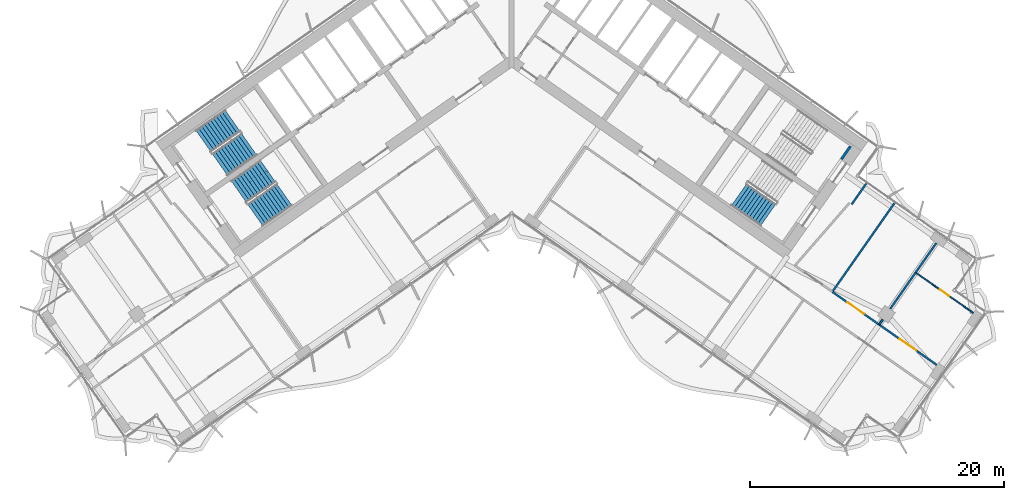
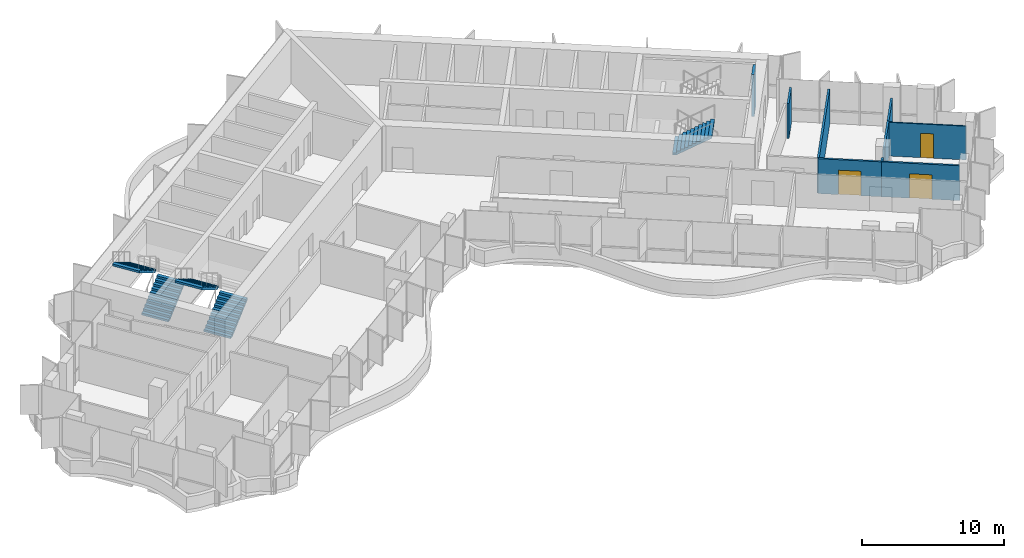
# One storey, part 17 of 23: 9 walls, 5 stair flights, 3 doors, 3 openings, 3 elements without a shape of their own.
"""IFC4 building model written with IfcOpenShell, lengths in metres."""

import ifcopenshell
import ifcopenshell.guid

model = None  # the IFC model being written
_history = None  # IfcOwnerHistory: only IFC2X3 demands one
_inside = {}  # id of a spatial element -> (the spatial element, [elements in it])
_under = {}  # id of a project, library or spatial element -> (it, [spatial elements below it])
_declared = {}  # id of a project -> (the project, [libraries it declares])
_typed = {}  # id of a type object -> (the type object, [elements of that type])
_made_of = {}  # id of a material, layer set ... -> (it, [elements and type objects made of it])


def new_model(schema):
    """Start an empty IFC model of exactly this schema.

    Asked for "IFC4X3", IfcOpenShell would pick the latest addendum, in which some entities
    have other attributes; the version numbers below select the first issue.
    IFC2X3 requires an IfcOwnerHistory on every rooted entity: one is made here for all.
    """
    global model, _history
    if schema == "IFC4X3":
        model = ifcopenshell.file(schema_version=(4, 3, 0, 0))
    else:
        model = ifcopenshell.file(schema=schema)
    _inside.clear()
    _under.clear()
    _declared.clear()
    _typed.clear()
    _made_of.clear()
    _history = None
    if model.schema == "IFC2X3":
        org = make("IfcOrganization", Name="unknown")
        user = make(
            "IfcPersonAndOrganization",
            ThePerson=make("IfcPerson", FamilyName="unknown"),
            TheOrganization=org,
        )
        app = make(
            "IfcApplication",
            ApplicationDeveloper=org,
            Version="unknown",
            ApplicationFullName="unknown",
            ApplicationIdentifier="unknown",
        )
        _history = make(
            "IfcOwnerHistory",
            OwningUser=user,
            OwningApplication=app,
            ChangeAction="ADDED",
            CreationDate=0,
        )
    return model


def make(cls, **values):
    """One entity of the class cls with the attributes given. An attribute that is None is left unset."""
    return model.create_entity(
        cls, **{name: value for name, value in values.items() if value is not None}
    )


def rooted(cls, **values):
    """An entity with a GlobalId (a new one), such as an element, a storey or a relation."""
    return make(cls, GlobalId=ifcopenshell.guid.new(), OwnerHistory=_history, **values)


def si_unit(unit_type, name, prefix=None):
    """IfcSIUnit, for example si_unit("LENGTHUNIT", "METRE", prefix="MILLI")."""
    return make("IfcSIUnit", UnitType=unit_type, Prefix=prefix, Name=name)


def assignment(units):
    """IfcUnitAssignment: the units of a project."""
    return None if units is None else make("IfcUnitAssignment", Units=units)


def point(xyz):
    """IfcCartesianPoint."""
    return None if xyz is None else make("IfcCartesianPoint", Coordinates=xyz)


def direction(xyz):
    """IfcDirection."""
    return None if xyz is None else make("IfcDirection", DirectionRatios=xyz)


def frame(location, z_axis=None, x_axis=None):
    """IfcAxis2Placement3D, a coordinate frame: its origin and axes. An axis left out is left unset."""
    return make(
        "IfcAxis2Placement3D",
        Location=point(location),
        Axis=direction(z_axis),
        RefDirection=direction(x_axis),
    )


def frame_2d(location, x_axis=None):
    """IfcAxis2Placement2D, a coordinate frame in the plane: its origin and x axis."""
    return make(
        "IfcAxis2Placement2D", Location=point(location), RefDirection=direction(x_axis)
    )


def origin():
    """The frame at (0, 0, 0) with its axes left unset."""
    return frame((0.0, 0.0, 0.0))


def place(relative_to, where):
    """IfcLocalPlacement: puts the frame where relative to a parent placement (None: the world)."""
    return make(
        "IfcLocalPlacement", PlacementRelTo=relative_to, RelativePlacement=where
    )


def context(
    kind, dimensions, precision=None, world=None, true_north=None, identifier=None
):
    """IfcGeometricRepresentationContext, for example the 3D "Model" context."""
    return make(
        "IfcGeometricRepresentationContext",
        ContextIdentifier=identifier,
        ContextType=kind,
        CoordinateSpaceDimension=dimensions,
        Precision=precision,
        WorldCoordinateSystem=world,
        TrueNorth=true_north,
    )


def subcontext(parent, identifier, kind, view, scale=None):
    """IfcGeometricRepresentationSubContext, for example "Body" below "Model"."""
    return make(
        "IfcGeometricRepresentationSubContext",
        ContextIdentifier=identifier,
        ContextType=kind,
        ParentContext=parent,
        TargetScale=scale,
        TargetView=view,
    )


def project(units=None, contexts=None):
    """IfcProject with its units and contexts."""
    return rooted(
        "IfcProject",
        Name="project",
        RepresentationContexts=contexts,
        UnitsInContext=assignment(units),
    )


def spatial(cls, under=None, at=None, **own):
    """A site, building, storey or space (cls), placed at a placement, below another one or the project."""
    s = rooted(cls, ObjectPlacement=at, **own)
    if under is not None:
        _under.setdefault(under.id(), (under, []))[1].append(s)
    return s


def polyline(points):
    """IfcPolyline through the points."""
    return make("IfcPolyline", Points=[point(p) for p in points])


def profile(cls, at=None, kind="AREA", **sizes):
    """A parametric profile (cls). Its sizes go by their IFC names, for example OverallWidth=200.0."""
    return make(cls, ProfileType=kind, Position=at, **sizes)


def rectangle(**sizes):
    """IfcRectangleProfileDef."""
    return profile("IfcRectangleProfileDef", **sizes)


def outline(outer, holes=None, kind="AREA"):
    """IfcArbitraryClosedProfileDef: a profile drawn as a closed curve; with holes, ...WithVoids."""
    if holes is None:
        return make("IfcArbitraryClosedProfileDef", ProfileType=kind, OuterCurve=outer)
    return make(
        "IfcArbitraryProfileDefWithVoids",
        ProfileType=kind,
        OuterCurve=outer,
        InnerCurves=holes,
    )


def extrude(swept, where, along, depth):
    """IfcExtrudedAreaSolid: the profile swept, set in the frame where, extruded along a direction by depth."""
    return make(
        "IfcExtrudedAreaSolid",
        SweptArea=swept,
        Position=where,
        ExtrudedDirection=direction(along),
        Depth=depth,
    )


def shape(context_of_items, identifier, shape_type, items):
    """IfcShapeRepresentation: the items that make up one representation, for example the "Body"."""
    return make(
        "IfcShapeRepresentation",
        ContextOfItems=context_of_items,
        RepresentationIdentifier=identifier,
        RepresentationType=shape_type,
        Items=items,
    )


def material(Name=None, Category=None):
    """IfcMaterial."""
    return make("IfcMaterial", Name=Name, Category=Category)


def layer(
    of_material, thickness, ventilated=None, Name=None, Category=None, Priority=None
):
    """IfcMaterialLayer: one layer of a wall or slab, of a material (None: an air gap)."""
    return make(
        "IfcMaterialLayer",
        Material=of_material,
        LayerThickness=thickness,
        IsVentilated=ventilated,
        Name=Name,
        Category=Category,
        Priority=Priority,
    )


def layer_set(layers, Name=None):
    """IfcMaterialLayerSet."""
    return make("IfcMaterialLayerSet", MaterialLayers=layers, LayerSetName=Name)


def made_of(thing, what):
    """Note that an element or type object is made of a material, layer set ...; save() writes the relation."""
    if what is not None:
        _made_of.setdefault(what.id(), (what, []))[1].append(thing)
    return thing


def type_object(cls, material=None, **own):
    """A type object (cls), such as IfcWallType, which elements share."""
    return made_of(rooted(cls, **own), material)


def element(
    cls,
    number,
    at=None,
    inside=None,
    cuts=None,
    type_object=None,
    material=None,
    context=None,
    identifier="Body",
    shape_type=None,
    held_by="IfcProductDefinitionShape",
    body=None,
    shapes=None,
    **own,
):
    """One element of the class cls, such as IfcWall. Its Tag is "e" and its number.

    at: its placement. inside: the storey or other place that contains it. cuts: it is an
    opening in that element (IfcRelVoidsElement). A single representation is given by context,
    identifier, shape_type and body (its items); several are given by shapes. held_by: the class
    of the entity that holds the representations. save() writes the other relations.
    """
    e = rooted(cls, Tag="e%d" % number, ObjectPlacement=at, **own)
    if body is not None:
        shapes = [shape(context, identifier, shape_type, body)]
    if shapes is not None:
        e.Representation = make(held_by, Representations=shapes)
    if inside is not None:
        _inside.setdefault(inside.id(), (inside, []))[1].append(e)
    if cuts is not None:
        rooted(
            "IfcRelVoidsElement", RelatingBuildingElement=cuts, RelatedOpeningElement=e
        )
    if type_object is not None:
        _typed.setdefault(type_object.id(), (type_object, []))[1].append(e)
    return made_of(e, material)


def fill(opening, filler):
    """IfcRelFillsElement: the door or window that sits in an opening."""
    return rooted(
        "IfcRelFillsElement",
        RelatingOpeningElement=opening,
        RelatedBuildingElement=filler,
    )


def aggregate(whole, parts):
    """IfcRelAggregates: a whole, such as a stair, and the parts it consists of."""
    return rooted("IfcRelAggregates", RelatingObject=whole, RelatedObjects=parts)


def save(model, path):
    """Write the relations noted so far, then the file.

    IfcRelAggregates (storeys below a building ...), IfcRelContainedInSpatialStructure (elements
    in a storey), IfcRelDefinesByType, IfcRelAssociatesMaterial and IfcRelDeclares: one each for
    every whole, place, type object, material and project.
    """
    for whole, parts in _under.values():
        aggregate(whole, parts)
    for where, things in _inside.values():
        rooted(
            "IfcRelContainedInSpatialStructure",
            RelatedElements=things,
            RelatingStructure=where,
        )
    for kind, things in _typed.values():
        rooted("IfcRelDefinesByType", RelatedObjects=things, RelatingType=kind)
    for what, things in _made_of.values():
        rooted("IfcRelAssociatesMaterial", RelatedObjects=things, RelatingMaterial=what)
    for by, libraries in _declared.values():
        rooted("IfcRelDeclares", RelatingContext=by, RelatedDefinitions=libraries)
    model.write(path)


model = new_model("IFC4")

# Units and contexts
model_context = context("Model", 3, precision=1e-05, world=origin(), true_north=direction((0.0, 1.0)))
body_context = subcontext(model_context, "Body", "Model", "MODEL_VIEW")
ifc_project = project(units=[si_unit("LENGTHUNIT", "METRE"), si_unit("AREAUNIT", "SQUARE_METRE"), si_unit("VOLUMEUNIT", "CUBIC_METRE"), si_unit("PLANEANGLEUNIT", "RADIAN"), si_unit("MASSUNIT", "GRAM", prefix="KILO")], contexts=[model_context])

# Site, building, storey
site_placement = place(None, origin())
site = spatial("IfcSite", under=ifc_project, at=site_placement, CompositionType="ELEMENT")
building_placement = place(site_placement, origin())
building = spatial("IfcBuilding", under=site, at=building_placement, Name="Tel Ilan Convention Tower", CompositionType="ELEMENT")
storey_placement = place(building_placement, frame((0.0, 0.0, 174.89990234375)))
storey = spatial("IfcBuildingStorey", under=building, at=storey_placement, Name="L40", CompositionType="ELEMENT", Elevation=174.89990234375)

# Wall, opening, door
ifc_material_1 = material(Name="Plasterboard on Steel Studs", Category="steel")
ifc_layer_1 = layer(ifc_material_1, 0.14990234375)
ifc_layer_set_1 = layer_set([ifc_layer_1], Name="Fire-rated Partition 150 EI 60")
wall_type_1 = type_object("IfcWallType", Name="Fire-rated Partition 150 EI 60", PredefinedType="PARTITIONING", material=ifc_layer_set_1)
wall_1_placement = place(storey_placement, frame((25.22802734375, -18.8857421875, 0.0), z_axis=(0.0, 0.0, 1.0), x_axis=(0.819165703328, -0.573556928727, 0.0)))
wall_1 = element("IfcWall", 1, at=wall_1_placement, inside=storey, type_object=wall_type_1, Name="Partition 002", PredefinedType="PARTITIONING", context=body_context, shape_type="SweptSolid", body=[
    extrude(rectangle(XDim=4.50390625, YDim=0.14990234375, at=frame_2d((2.251953125, 0.0))), origin(), (0.0, 0.0, 1.0), 3.0),
])
opening_1_placement = place(wall_1_placement, frame((1.451904296875, 0.0, 0.0)))
opening_1 = element("IfcOpeningElement", 2, at=opening_1_placement, cuts=wall_1, Name="Opening L39-018", PredefinedType="OPENING", context=body_context, shape_type="SweptSolid", body=[
    extrude(rectangle(XDim=1.60009765625, YDim=2.10009765625, at=frame_2d((0.800048828125, 1.050048828125))), frame((0.0, 0.0849609375, 0.0), z_axis=(0.0, -1.0, 0.0), x_axis=(1.0, 0.0, 0.0)), (0.0, 0.0, 1.0), 0.169921875),
])
ifc_material_2 = material(Name="Timber Door Leaf in Steel Frame", Category="steel")
door_type_1 = type_object("IfcDoorType", Name="Tenant Suite Entrance Fire Door 1600x2100", OperationType="NOTDEFINED", PredefinedType="DOOR", material=ifc_material_2)
door_1_placement = place(opening_1_placement, origin())
door_1 = element("IfcDoor", 3, at=door_1_placement, inside=storey, type_object=door_type_1, Name="Door L39-018", OperationType="DOUBLE_DOOR_SINGLE_SWING", OverallHeight=2.10009765625, OverallWidth=1.60009765625, PredefinedType="DOOR", context=body_context, shape_type="SweptSolid", body=[
    extrude(rectangle(XDim=1.60009765625, YDim=2.10009765625, at=frame_2d((0.800048828125, 1.050048828125))), frame((0.0, 0.02490234375, 0.0), z_axis=(0.0, -1.0, 0.0), x_axis=(1.0, 0.0, 0.0)), (0.0, 0.0, 1.0), 0.050048828125),
])
fill(opening_1, door_1)

wall_2_placement = place(storey_placement, frame((28.914306640625, -21.466796875, 0.0), z_axis=(0.0, 0.0, 1.0), x_axis=(0.819142757108, -0.573589699592, 0.0)))
wall_2 = element("IfcWall", 4, at=wall_2_placement, inside=storey, type_object=wall_type_1, Name="Partition 003", PredefinedType="PARTITIONING", context=body_context, shape_type="SweptSolid", body=[
    extrude(rectangle(XDim=5.531982421875, YDim=0.14990234375, at=frame_2d((2.76611328125, 0.0))), origin(), (0.0, 0.0, 1.0), 3.0),
])
opening_2_placement = place(wall_2_placement, frame((1.966064453125, 0.0, 0.0)))
opening_2 = element("IfcOpeningElement", 5, at=opening_2_placement, cuts=wall_2, Name="Opening L39-019", PredefinedType="OPENING", context=body_context, shape_type="SweptSolid", body=[
    extrude(rectangle(XDim=1.60009765625, YDim=2.10009765625, at=frame_2d((0.800048828125, 1.050048828125))), frame((0.0, 0.0849609375, 0.0), z_axis=(0.0, -1.0, 0.0), x_axis=(1.0, 0.0, 0.0)), (0.0, 0.0, 1.0), 0.169921875),
])
door_2_placement = place(opening_2_placement, origin())
door_2 = element("IfcDoor", 6, at=door_2_placement, inside=storey, type_object=door_type_1, Name="Door L39-019", OperationType="DOUBLE_DOOR_SINGLE_SWING", OverallHeight=2.10009765625, OverallWidth=1.60009765625, PredefinedType="DOOR", context=body_context, shape_type="SweptSolid", body=[
    extrude(rectangle(XDim=1.60009765625, YDim=2.10009765625, at=frame_2d((0.800048828125, 1.050048828125))), frame((0.0, 0.02490234375, 0.0), z_axis=(0.0, -1.0, 0.0), x_axis=(1.0, 0.0, 0.0)), (0.0, 0.0, 1.0), 0.050048828125),
])
fill(opening_2, door_2)

# Walls
wall_3_placement = place(storey_placement, frame((30.10498046875, -11.924072265625, 0.0), z_axis=(0.0, 0.0, 1.0), x_axis=(-0.573572219642, -0.819154996844, 0.0)))
element("IfcWall", 7, at=wall_3_placement, inside=storey, type_object=wall_type_1, Name="Partition 017", PredefinedType="PARTITIONING", context=body_context, shape_type="SweptSolid", body=[
    extrude(rectangle(XDim=8.499755859375, YDim=0.14990234375, at=frame_2d((4.25, 0.0))), origin(), (0.0, 0.0, 1.0), 3.0),
])
wall_4_placement = place(storey_placement, frame((26.74609375, -12.013671875, 0.0), z_axis=(0.0, 0.0, 1.0), x_axis=(0.573568836472, 0.819157365729, 0.0)))
element("IfcWall", 8, at=wall_4_placement, inside=storey, type_object=wall_type_1, Name="Partition 019", PredefinedType="PARTITIONING", context=body_context, shape_type="SweptSolid", body=[
    extrude(rectangle(XDim=2.000244140625, YDim=0.14990234375, at=frame_2d((1.0, 0.0))), origin(), (0.0, 0.0, 1.0), 3.0),
])
wall_5_placement = place(storey_placement, frame((33.406982421875, -15.053955078125, 0.0), z_axis=(0.0, 0.0, 1.0), x_axis=(-0.573560731169, -0.819163040952, 0.0)))
element("IfcWall", 9, at=wall_5_placement, inside=storey, type_object=wall_type_1, Name="Partition 020", PredefinedType="PARTITIONING", context=body_context, shape_type="SweptSolid", body=[
    extrude(rectangle(XDim=2.8310546875, YDim=0.14990234375, at=frame_2d((1.41552734375, 0.0))), origin(), (0.0, 0.0, 1.0), 3.0),
])
wall_6_placement = place(storey_placement, frame((31.784912109375, -17.37060546875, 0.0), z_axis=(0.0, 0.0, 1.0), x_axis=(-0.573598798985, -0.819136385349, 0.0)))
element("IfcWall", 10, at=wall_6_placement, inside=storey, type_object=wall_type_1, Name="Partition 021", PredefinedType="PARTITIONING", context=body_context, shape_type="SweptSolid", body=[
    extrude(rectangle(XDim=3.482177734375, YDim=0.14990234375, at=frame_2d((1.7412109375, 0.0))), origin(), (0.0, 0.0, 1.0), 3.0),
])
wall_7_placement = place(storey_placement, frame((29.191162109375, -21.07470703125, 0.0), z_axis=(0.0, 0.0, 1.0), x_axis=(-0.57322336738, -0.819399152483, 0.0)))
element("IfcWall", 11, at=wall_7_placement, inside=storey, type_object=wall_type_1, Name="Partition 022", PredefinedType="PARTITIONING", context=body_context, shape_type="SweptSolid", body=[
    extrude(rectangle(XDim=0.47998046875, YDim=0.14990234375, at=frame_2d((0.239990234375, 0.0))), origin(), (0.0, 0.0, 1.0), 3.0),
])

# Wall, opening, door
ifc_material_3 = material(Name="Plasterboard on Steel Studs", Category="steel")
ifc_layer_2 = layer(ifc_material_3, 0.10009765625)
ifc_layer_set_2 = layer_set([ifc_layer_2], Name="Plasterboard Partition 100")
wall_type_2 = type_object("IfcWallType", Name="Plasterboard Partition 100", PredefinedType="PARTITIONING", material=ifc_layer_set_2)
wall_8_placement = place(storey_placement, frame((31.784423828125, -17.371337890625, 0.0), z_axis=(0.0, 0.0, 1.0), x_axis=(0.819144797823, -0.573586785238, 0.0)))
wall_8 = element("IfcWall", 12, at=wall_8_placement, inside=storey, type_object=wall_type_2, Name="Partition 023", PredefinedType="PARTITIONING", context=body_context, shape_type="SweptSolid", body=[
    extrude(rectangle(XDim=5.52978515625, YDim=0.10009765625, at=frame_2d((2.764892578125, 0.0))), origin(), (0.0, 0.0, 1.0), 2.900146484375),
])
opening_3_placement = place(wall_8_placement, frame((2.31494140625, 0.0, 0.0)))
opening_3 = element("IfcOpeningElement", 13, at=opening_3_placement, cuts=wall_8, Name="Opening L39-020", PredefinedType="OPENING", context=body_context, shape_type="SweptSolid", body=[
    extrude(rectangle(XDim=0.89990234375, YDim=2.10009765625, at=frame_2d((0.449951171875, 1.050048828125))), frame((0.0, 0.06005859375, 0.0), z_axis=(0.0, -1.0, 0.0), x_axis=(1.0, 0.0, 0.0)), (0.0, 0.0, 1.0), 0.1201171875),
])
ifc_material_4 = material(Name="Timber Door Leaf in Steel Frame", Category="steel")
door_type_2 = type_object("IfcDoorType", Name="Room Timber Door 900x2100", OperationType="NOTDEFINED", PredefinedType="DOOR", material=ifc_material_4)
door_3_placement = place(opening_3_placement, origin())
door_3 = element("IfcDoor", 14, at=door_3_placement, inside=storey, type_object=door_type_2, Name="Door L39-020", OperationType="SINGLE_SWING_RIGHT", OverallHeight=2.10009765625, OverallWidth=0.89990234375, PredefinedType="DOOR", context=body_context, shape_type="SweptSolid", body=[
    extrude(rectangle(XDim=0.89990234375, YDim=2.10009765625, at=frame_2d((0.449951171875, 1.050048828125))), frame((0.0, 0.02490234375, 0.0), z_axis=(0.0, -1.0, 0.0), x_axis=(1.0, 0.0, 0.0)), (0.0, 0.0, 1.0), 0.050048828125),
])
fill(opening_3, door_3)

# Wall
ifc_material_5 = material(Name="Concrete C30/37", Category="concrete")
ifc_layer_3 = layer(ifc_material_5, 0.199951171875)
ifc_layer_set_3 = layer_set([ifc_layer_3], Name="Stair and Shaft Lining Wall 200 mm C30/37")
wall_type_3 = type_object("IfcWallType", Name="Stair and Shaft Lining Wall 200 mm C30/37", PredefinedType="SOLIDWALL", material=ifc_layer_set_3)
wall_9_placement = place(storey_placement, frame((25.939697265625, -8.4580078125, 0.0), z_axis=(0.0, 0.0, 1.0), x_axis=(0.573619628835, 0.819121798889, 0.0)))
element("IfcWall", 15, at=wall_9_placement, inside=storey, type_object=wall_type_3, Name="L40 core wall lining-S3-u1-1", PredefinedType="SOLIDWALL", context=body_context, shape_type="SweptSolid", body=[
    extrude(rectangle(XDim=1.25, YDim=0.199951171875, at=frame_2d((0.625, 0.0))), origin(), (0.0, 0.0, 1.0), 3.6201171875),
])

# Stair, stair flights
ifc_material_6 = material(Name="Concrete C40/50", Category="concrete")
stair_type = type_object("IfcStairType", Name="Pressurised Exit Stair 22 risers 177 mm", PredefinedType="HALF_TURN_STAIR", material=ifc_material_6)
stair_1_placement = place(storey_placement, origin())
stair_1 = element("IfcStair", 16, at=stair_1_placement, inside=storey, type_object=stair_type, Name="L40 Pressurised Stair S1", PredefinedType="HALF_TURN_STAIR")
ifc_material_7 = material(Name="Precast Concrete C40/50", Category="concrete")
stair_flight_type = type_object("IfcStairFlightType", Name="Concrete Stair Flight 2100 mm 22 risers 177 mm", PredefinedType="STRAIGHT", material=ifc_material_7)
stair_flight_1_placement = place(storey_placement, frame((-22.9619140625, -8.87548828125, 0.0), z_axis=(0.0, 0.0, 1.0), x_axis=(0.819152044289, 0.573576436351, 0.0)))
stair_flight_1 = element("IfcStairFlight", 17, at=stair_flight_1_placement, type_object=stair_flight_type, Name="S1 flight 1", NumberOfRisers=11, NumberOfTreads=10, PredefinedType="STRAIGHT", RiserHeight=0.177272727, TreadLength=0.28, context=body_context, shape_type="SweptSolid", body=[
    extrude(outline(polyline([(0.0, 0.0), (0.0, 0.17724609375), (0.280029296875, 0.17724609375), (0.280029296875, 0.3544921875), (0.56005859375, 0.3544921875), (0.56005859375, 0.53173828125), (0.840087890625, 0.53173828125), (0.840087890625, 0.708984375), (1.1201171875, 0.708984375), (1.1201171875, 0.886474609375), (1.39990234375, 0.886474609375), (1.39990234375, 1.063720703125), (1.679931640625, 1.063720703125), (1.679931640625, 1.240966796875), (1.9599609375, 1.240966796875), (1.9599609375, 1.418212890625), (2.239990234375, 1.418212890625), (2.239990234375, 1.595458984375), (2.52001953125, 1.595458984375), (2.52001953125, 1.772705078125), (2.800048828125, 1.772705078125), (2.800048828125, 1.949951171875), (2.800048828125, 1.59521484375), (0.2802734375, 0.0), (0.0, 0.0)])), frame((0.0, -0.100341796875, 0.0), z_axis=(0.0, -1.0, 0.0), x_axis=(1.0, 0.0, 0.0)), (0.0, 0.0, 1.0), 0.94970703125),
    extrude(outline(polyline([(0.0, 0.0), (0.0, 0.17724609375), (0.280029296875, 0.17724609375), (0.280029296875, 0.3544921875), (0.56005859375, 0.3544921875), (0.56005859375, 0.53173828125), (0.840087890625, 0.53173828125), (0.840087890625, 0.708984375), (1.1201171875, 0.708984375), (1.1201171875, 0.886474609375), (1.39990234375, 0.886474609375), (1.39990234375, 1.063720703125), (1.679931640625, 1.063720703125), (1.679931640625, 1.240966796875), (1.9599609375, 1.240966796875), (1.9599609375, 1.418212890625), (2.239990234375, 1.418212890625), (2.239990234375, 1.595458984375), (2.52001953125, 1.595458984375), (2.52001953125, 1.772705078125), (2.800048828125, 1.772705078125), (2.800048828125, 1.949951171875), (2.800048828125, 1.59521484375), (0.2802734375, 0.0), (0.0, 0.0)])), frame((0.0, -0.000244140625, 0.0), z_axis=(0.0, -1.0, 0.0), x_axis=(1.0, 0.0, 0.0)), (0.0, 0.0, 1.0), 0.099609375),
    extrude(outline(polyline([(0.0, 0.0), (0.0, 0.17724609375), (0.280029296875, 0.17724609375), (0.280029296875, 0.3544921875), (0.56005859375, 0.3544921875), (0.56005859375, 0.53173828125), (0.840087890625, 0.53173828125), (0.840087890625, 0.708984375), (1.1201171875, 0.708984375), (1.1201171875, 0.886474609375), (1.39990234375, 0.886474609375), (1.39990234375, 1.063720703125), (1.679931640625, 1.063720703125), (1.679931640625, 1.240966796875), (1.9599609375, 1.240966796875), (1.9599609375, 1.418212890625), (2.239990234375, 1.418212890625), (2.239990234375, 1.595458984375), (2.52001953125, 1.595458984375), (2.52001953125, 1.772705078125), (2.800048828125, 1.772705078125), (2.800048828125, 1.949951171875), (2.800048828125, 1.59521484375), (0.2802734375, 0.0), (0.0, 0.0)])), frame((0.0, 0.099853515625, 0.0), z_axis=(0.0, -1.0, 0.0), x_axis=(1.0, 0.0, 0.0)), (0.0, 0.0, 1.0), 0.099609375),
    extrude(outline(polyline([(0.0, 0.0), (0.0, 0.17724609375), (0.280029296875, 0.17724609375), (0.280029296875, 0.3544921875), (0.56005859375, 0.3544921875), (0.56005859375, 0.53173828125), (0.840087890625, 0.53173828125), (0.840087890625, 0.708984375), (1.1201171875, 0.708984375), (1.1201171875, 0.886474609375), (1.39990234375, 0.886474609375), (1.39990234375, 1.063720703125), (1.679931640625, 1.063720703125), (1.679931640625, 1.240966796875), (1.9599609375, 1.240966796875), (1.9599609375, 1.418212890625), (2.239990234375, 1.418212890625), (2.239990234375, 1.595458984375), (2.52001953125, 1.595458984375), (2.52001953125, 1.772705078125), (2.800048828125, 1.772705078125), (2.800048828125, 1.949951171875), (2.800048828125, 1.59521484375), (0.2802734375, 0.0), (0.0, 0.0)])), frame((0.0, 1.050048828125, 0.0), z_axis=(0.0, -1.0, 0.0), x_axis=(1.0, 0.0, 0.0)), (0.0, 0.0, 1.0), 0.94970703125),
])
stair_flight_2_placement = place(storey_placement, frame((-21.958740234375, -5.42626953125, 1.9501953125), z_axis=(0.0, 0.0, 1.0), x_axis=(-0.819152044289, -0.573576436351, 0.0)))
stair_flight_2 = element("IfcStairFlight", 18, at=stair_flight_2_placement, type_object=stair_flight_type, Name="S1 flight 2", NumberOfRisers=11, NumberOfTreads=10, PredefinedType="STRAIGHT", RiserHeight=0.177272727, TreadLength=0.28, context=body_context, shape_type="SweptSolid", body=[
    extrude(outline(polyline([(0.0, 0.0), (0.0, 0.17724609375), (0.280029296875, 0.17724609375), (0.280029296875, 0.3544921875), (0.56005859375, 0.3544921875), (0.56005859375, 0.53173828125), (0.840087890625, 0.53173828125), (0.840087890625, 0.708984375), (1.1201171875, 0.708984375), (1.1201171875, 0.886474609375), (1.39990234375, 0.886474609375), (1.39990234375, 1.063720703125), (1.679931640625, 1.063720703125), (1.679931640625, 1.240966796875), (1.9599609375, 1.240966796875), (1.9599609375, 1.418212890625), (2.239990234375, 1.418212890625), (2.239990234375, 1.595458984375), (2.52001953125, 1.595458984375), (2.52001953125, 1.772705078125), (2.800048828125, 1.772705078125), (2.800048828125, 1.949951171875), (2.800048828125, 1.59521484375), (0.2802734375, 0.0), (0.0, 0.0)])), frame((0.0, -0.100341796875, 0.0), z_axis=(0.0, -1.0, 0.0), x_axis=(1.0, 0.0, 0.0)), (0.0, 0.0, 1.0), 0.94970703125),
    extrude(outline(polyline([(0.0, 0.0), (0.0, 0.17724609375), (0.280029296875, 0.17724609375), (0.280029296875, 0.3544921875), (0.56005859375, 0.3544921875), (0.56005859375, 0.53173828125), (0.840087890625, 0.53173828125), (0.840087890625, 0.708984375), (1.1201171875, 0.708984375), (1.1201171875, 0.886474609375), (1.39990234375, 0.886474609375), (1.39990234375, 1.063720703125), (1.679931640625, 1.063720703125), (1.679931640625, 1.240966796875), (1.9599609375, 1.240966796875), (1.9599609375, 1.418212890625), (2.239990234375, 1.418212890625), (2.239990234375, 1.595458984375), (2.52001953125, 1.595458984375), (2.52001953125, 1.772705078125), (2.800048828125, 1.772705078125), (2.800048828125, 1.949951171875), (2.800048828125, 1.59521484375), (0.2802734375, 0.0), (0.0, 0.0)])), frame((0.0, -0.000244140625, 0.0), z_axis=(0.0, -1.0, 0.0), x_axis=(1.0, 0.0, 0.0)), (0.0, 0.0, 1.0), 0.099609375),
    extrude(outline(polyline([(0.0, 0.0), (0.0, 0.17724609375), (0.280029296875, 0.17724609375), (0.280029296875, 0.3544921875), (0.56005859375, 0.3544921875), (0.56005859375, 0.53173828125), (0.840087890625, 0.53173828125), (0.840087890625, 0.708984375), (1.1201171875, 0.708984375), (1.1201171875, 0.886474609375), (1.39990234375, 0.886474609375), (1.39990234375, 1.063720703125), (1.679931640625, 1.063720703125), (1.679931640625, 1.240966796875), (1.9599609375, 1.240966796875), (1.9599609375, 1.418212890625), (2.239990234375, 1.418212890625), (2.239990234375, 1.595458984375), (2.52001953125, 1.595458984375), (2.52001953125, 1.772705078125), (2.800048828125, 1.772705078125), (2.800048828125, 1.949951171875), (2.800048828125, 1.59521484375), (0.2802734375, 0.0), (0.0, 0.0)])), frame((0.0, 0.099853515625, 0.0), z_axis=(0.0, -1.0, 0.0), x_axis=(1.0, 0.0, 0.0)), (0.0, 0.0, 1.0), 0.099609375),
    extrude(outline(polyline([(0.0, 0.0), (0.0, 0.17724609375), (0.280029296875, 0.17724609375), (0.280029296875, 0.3544921875), (0.56005859375, 0.3544921875), (0.56005859375, 0.53173828125), (0.840087890625, 0.53173828125), (0.840087890625, 0.708984375), (1.1201171875, 0.708984375), (1.1201171875, 0.886474609375), (1.39990234375, 0.886474609375), (1.39990234375, 1.063720703125), (1.679931640625, 1.063720703125), (1.679931640625, 1.240966796875), (1.9599609375, 1.240966796875), (1.9599609375, 1.418212890625), (2.239990234375, 1.418212890625), (2.239990234375, 1.595458984375), (2.52001953125, 1.595458984375), (2.52001953125, 1.772705078125), (2.800048828125, 1.772705078125), (2.800048828125, 1.949951171875), (2.800048828125, 1.59521484375), (0.2802734375, 0.0), (0.0, 0.0)])), frame((0.0, 1.050048828125, 0.0), z_axis=(0.0, -1.0, 0.0), x_axis=(1.0, 0.0, 0.0)), (0.0, 0.0, 1.0), 0.94970703125),
])
aggregate(stair_1, [stair_flight_1, stair_flight_2])

stair_2_placement = place(storey_placement, origin())
stair_2 = element("IfcStair", 19, at=stair_2_placement, inside=storey, type_object=stair_type, Name="L40 Pressurised Stair S2", PredefinedType="HALF_TURN_STAIR")
stair_flight_3_placement = place(storey_placement, frame((-20.179931640625, -12.848388671875, 0.0), z_axis=(0.0, 0.0, 1.0), x_axis=(0.819152044289, 0.573576436351, 0.0)))
stair_flight_3 = element("IfcStairFlight", 20, at=stair_flight_3_placement, type_object=stair_flight_type, Name="S2 flight 1", NumberOfRisers=11, NumberOfTreads=10, PredefinedType="STRAIGHT", RiserHeight=0.177272727, TreadLength=0.28, context=body_context, shape_type="SweptSolid", body=[
    extrude(outline(polyline([(0.0, 0.0), (0.0, 0.17724609375), (0.280029296875, 0.17724609375), (0.280029296875, 0.3544921875), (0.56005859375, 0.3544921875), (0.56005859375, 0.53173828125), (0.840087890625, 0.53173828125), (0.840087890625, 0.708984375), (1.1201171875, 0.708984375), (1.1201171875, 0.886474609375), (1.39990234375, 0.886474609375), (1.39990234375, 1.063720703125), (1.679931640625, 1.063720703125), (1.679931640625, 1.240966796875), (1.9599609375, 1.240966796875), (1.9599609375, 1.418212890625), (2.239990234375, 1.418212890625), (2.239990234375, 1.595458984375), (2.52001953125, 1.595458984375), (2.52001953125, 1.772705078125), (2.800048828125, 1.772705078125), (2.800048828125, 1.949951171875), (2.800048828125, 1.59521484375), (0.2802734375, 0.0), (0.0, 0.0)])), frame((0.0, -0.100341796875, 0.0), z_axis=(0.0, -1.0, 0.0), x_axis=(1.0, 0.0, 0.0)), (0.0, 0.0, 1.0), 0.94970703125),
    extrude(outline(polyline([(0.0, 0.0), (0.0, 0.17724609375), (0.280029296875, 0.17724609375), (0.280029296875, 0.3544921875), (0.56005859375, 0.3544921875), (0.56005859375, 0.53173828125), (0.840087890625, 0.53173828125), (0.840087890625, 0.708984375), (1.1201171875, 0.708984375), (1.1201171875, 0.886474609375), (1.39990234375, 0.886474609375), (1.39990234375, 1.063720703125), (1.679931640625, 1.063720703125), (1.679931640625, 1.240966796875), (1.9599609375, 1.240966796875), (1.9599609375, 1.418212890625), (2.239990234375, 1.418212890625), (2.239990234375, 1.595458984375), (2.52001953125, 1.595458984375), (2.52001953125, 1.772705078125), (2.800048828125, 1.772705078125), (2.800048828125, 1.949951171875), (2.800048828125, 1.59521484375), (0.2802734375, 0.0), (0.0, 0.0)])), frame((0.0, -0.000244140625, 0.0), z_axis=(0.0, -1.0, 0.0), x_axis=(1.0, 0.0, 0.0)), (0.0, 0.0, 1.0), 0.099609375),
    extrude(outline(polyline([(0.0, 0.0), (0.0, 0.17724609375), (0.280029296875, 0.17724609375), (0.280029296875, 0.3544921875), (0.56005859375, 0.3544921875), (0.56005859375, 0.53173828125), (0.840087890625, 0.53173828125), (0.840087890625, 0.708984375), (1.1201171875, 0.708984375), (1.1201171875, 0.886474609375), (1.39990234375, 0.886474609375), (1.39990234375, 1.063720703125), (1.679931640625, 1.063720703125), (1.679931640625, 1.240966796875), (1.9599609375, 1.240966796875), (1.9599609375, 1.418212890625), (2.239990234375, 1.418212890625), (2.239990234375, 1.595458984375), (2.52001953125, 1.595458984375), (2.52001953125, 1.772705078125), (2.800048828125, 1.772705078125), (2.800048828125, 1.949951171875), (2.800048828125, 1.59521484375), (0.2802734375, 0.0), (0.0, 0.0)])), frame((0.0, 0.099853515625, 0.0), z_axis=(0.0, -1.0, 0.0), x_axis=(1.0, 0.0, 0.0)), (0.0, 0.0, 1.0), 0.099609375),
    extrude(outline(polyline([(0.0, 0.0), (0.0, 0.17724609375), (0.280029296875, 0.17724609375), (0.280029296875, 0.3544921875), (0.56005859375, 0.3544921875), (0.56005859375, 0.53173828125), (0.840087890625, 0.53173828125), (0.840087890625, 0.708984375), (1.1201171875, 0.708984375), (1.1201171875, 0.886474609375), (1.39990234375, 0.886474609375), (1.39990234375, 1.063720703125), (1.679931640625, 1.063720703125), (1.679931640625, 1.240966796875), (1.9599609375, 1.240966796875), (1.9599609375, 1.418212890625), (2.239990234375, 1.418212890625), (2.239990234375, 1.595458984375), (2.52001953125, 1.595458984375), (2.52001953125, 1.772705078125), (2.800048828125, 1.772705078125), (2.800048828125, 1.949951171875), (2.800048828125, 1.59521484375), (0.2802734375, 0.0), (0.0, 0.0)])), frame((0.0, 1.050048828125, 0.0), z_axis=(0.0, -1.0, 0.0), x_axis=(1.0, 0.0, 0.0)), (0.0, 0.0, 1.0), 0.94970703125),
])
stair_flight_4_placement = place(storey_placement, frame((-19.177001953125, -9.399169921875, 1.9501953125), z_axis=(0.0, 0.0, 1.0), x_axis=(-0.819152044289, -0.573576436351, 0.0)))
stair_flight_4 = element("IfcStairFlight", 21, at=stair_flight_4_placement, type_object=stair_flight_type, Name="S2 flight 2", NumberOfRisers=11, NumberOfTreads=10, PredefinedType="STRAIGHT", RiserHeight=0.177272727, TreadLength=0.28, context=body_context, shape_type="SweptSolid", body=[
    extrude(outline(polyline([(0.0, 0.0), (0.0, 0.17724609375), (0.280029296875, 0.17724609375), (0.280029296875, 0.3544921875), (0.56005859375, 0.3544921875), (0.56005859375, 0.53173828125), (0.840087890625, 0.53173828125), (0.840087890625, 0.708984375), (1.1201171875, 0.708984375), (1.1201171875, 0.886474609375), (1.39990234375, 0.886474609375), (1.39990234375, 1.063720703125), (1.679931640625, 1.063720703125), (1.679931640625, 1.240966796875), (1.9599609375, 1.240966796875), (1.9599609375, 1.418212890625), (2.239990234375, 1.418212890625), (2.239990234375, 1.595458984375), (2.52001953125, 1.595458984375), (2.52001953125, 1.772705078125), (2.800048828125, 1.772705078125), (2.800048828125, 1.949951171875), (2.800048828125, 1.59521484375), (0.2802734375, 0.0), (0.0, 0.0)])), frame((0.0, -0.100341796875, 0.0), z_axis=(0.0, -1.0, 0.0), x_axis=(1.0, 0.0, 0.0)), (0.0, 0.0, 1.0), 0.94970703125),
    extrude(outline(polyline([(0.0, 0.0), (0.0, 0.17724609375), (0.280029296875, 0.17724609375), (0.280029296875, 0.3544921875), (0.56005859375, 0.3544921875), (0.56005859375, 0.53173828125), (0.840087890625, 0.53173828125), (0.840087890625, 0.708984375), (1.1201171875, 0.708984375), (1.1201171875, 0.886474609375), (1.39990234375, 0.886474609375), (1.39990234375, 1.063720703125), (1.679931640625, 1.063720703125), (1.679931640625, 1.240966796875), (1.9599609375, 1.240966796875), (1.9599609375, 1.418212890625), (2.239990234375, 1.418212890625), (2.239990234375, 1.595458984375), (2.52001953125, 1.595458984375), (2.52001953125, 1.772705078125), (2.800048828125, 1.772705078125), (2.800048828125, 1.949951171875), (2.800048828125, 1.59521484375), (0.2802734375, 0.0), (0.0, 0.0)])), frame((0.0, -0.000244140625, 0.0), z_axis=(0.0, -1.0, 0.0), x_axis=(1.0, 0.0, 0.0)), (0.0, 0.0, 1.0), 0.099609375),
    extrude(outline(polyline([(0.0, 0.0), (0.0, 0.17724609375), (0.280029296875, 0.17724609375), (0.280029296875, 0.3544921875), (0.56005859375, 0.3544921875), (0.56005859375, 0.53173828125), (0.840087890625, 0.53173828125), (0.840087890625, 0.708984375), (1.1201171875, 0.708984375), (1.1201171875, 0.886474609375), (1.39990234375, 0.886474609375), (1.39990234375, 1.063720703125), (1.679931640625, 1.063720703125), (1.679931640625, 1.240966796875), (1.9599609375, 1.240966796875), (1.9599609375, 1.418212890625), (2.239990234375, 1.418212890625), (2.239990234375, 1.595458984375), (2.52001953125, 1.595458984375), (2.52001953125, 1.772705078125), (2.800048828125, 1.772705078125), (2.800048828125, 1.949951171875), (2.800048828125, 1.59521484375), (0.2802734375, 0.0), (0.0, 0.0)])), frame((0.0, 0.099853515625, 0.0), z_axis=(0.0, -1.0, 0.0), x_axis=(1.0, 0.0, 0.0)), (0.0, 0.0, 1.0), 0.099609375),
    extrude(outline(polyline([(0.0, 0.0), (0.0, 0.17724609375), (0.280029296875, 0.17724609375), (0.280029296875, 0.3544921875), (0.56005859375, 0.3544921875), (0.56005859375, 0.53173828125), (0.840087890625, 0.53173828125), (0.840087890625, 0.708984375), (1.1201171875, 0.708984375), (1.1201171875, 0.886474609375), (1.39990234375, 0.886474609375), (1.39990234375, 1.063720703125), (1.679931640625, 1.063720703125), (1.679931640625, 1.240966796875), (1.9599609375, 1.240966796875), (1.9599609375, 1.418212890625), (2.239990234375, 1.418212890625), (2.239990234375, 1.595458984375), (2.52001953125, 1.595458984375), (2.52001953125, 1.772705078125), (2.800048828125, 1.772705078125), (2.800048828125, 1.949951171875), (2.800048828125, 1.59521484375), (0.2802734375, 0.0), (0.0, 0.0)])), frame((0.0, 1.050048828125, 0.0), z_axis=(0.0, -1.0, 0.0), x_axis=(1.0, 0.0, 0.0)), (0.0, 0.0, 1.0), 0.94970703125),
])
aggregate(stair_2, [stair_flight_3, stair_flight_4])

# Stair, stair flight
stair_3_placement = place(storey_placement, origin())
stair_3 = element("IfcStair", 22, at=stair_3_placement, inside=storey, type_object=stair_type, Name="L40 Pressurised Stair S4", PredefinedType="HALF_TURN_STAIR")
stair_flight_5_placement = place(storey_placement, frame((17.886474609375, -11.242431640625, 1.9501953125), z_axis=(0.0, 0.0, 1.0), x_axis=(0.819152044289, -0.573576436351, 0.0)))
stair_flight_5 = element("IfcStairFlight", 23, at=stair_flight_5_placement, type_object=stair_flight_type, Name="S4 flight 2", NumberOfRisers=11, NumberOfTreads=10, PredefinedType="STRAIGHT", RiserHeight=0.177272727, TreadLength=0.28, context=body_context, shape_type="SweptSolid", body=[
    extrude(outline(polyline([(0.0, 0.0), (0.0, 0.17724609375), (0.280029296875, 0.17724609375), (0.280029296875, 0.3544921875), (0.56005859375, 0.3544921875), (0.56005859375, 0.53173828125), (0.840087890625, 0.53173828125), (0.840087890625, 0.708984375), (1.1201171875, 0.708984375), (1.1201171875, 0.886474609375), (1.39990234375, 0.886474609375), (1.39990234375, 1.063720703125), (1.679931640625, 1.063720703125), (1.679931640625, 1.240966796875), (1.9599609375, 1.240966796875), (1.9599609375, 1.418212890625), (2.239990234375, 1.418212890625), (2.239990234375, 1.595458984375), (2.52001953125, 1.595458984375), (2.52001953125, 1.772705078125), (2.800048828125, 1.772705078125), (2.800048828125, 1.949951171875), (2.800048828125, 1.59521484375), (0.2802734375, 0.0), (0.0, 0.0)])), frame((0.0, -0.100341796875, 0.0), z_axis=(0.0, -1.0, 0.0), x_axis=(1.0, 0.0, 0.0)), (0.0, 0.0, 1.0), 0.94970703125),
    extrude(outline(polyline([(0.0, 0.0), (0.0, 0.17724609375), (0.280029296875, 0.17724609375), (0.280029296875, 0.3544921875), (0.56005859375, 0.3544921875), (0.56005859375, 0.53173828125), (0.840087890625, 0.53173828125), (0.840087890625, 0.708984375), (1.1201171875, 0.708984375), (1.1201171875, 0.886474609375), (1.39990234375, 0.886474609375), (1.39990234375, 1.063720703125), (1.679931640625, 1.063720703125), (1.679931640625, 1.240966796875), (1.9599609375, 1.240966796875), (1.9599609375, 1.418212890625), (2.239990234375, 1.418212890625), (2.239990234375, 1.595458984375), (2.52001953125, 1.595458984375), (2.52001953125, 1.772705078125), (2.800048828125, 1.772705078125), (2.800048828125, 1.949951171875), (2.800048828125, 1.59521484375), (0.2802734375, 0.0), (0.0, 0.0)])), frame((0.0, -0.000244140625, 0.0), z_axis=(0.0, -1.0, 0.0), x_axis=(1.0, 0.0, 0.0)), (0.0, 0.0, 1.0), 0.099609375),
    extrude(outline(polyline([(0.0, 0.0), (0.0, 0.17724609375), (0.280029296875, 0.17724609375), (0.280029296875, 0.3544921875), (0.56005859375, 0.3544921875), (0.56005859375, 0.53173828125), (0.840087890625, 0.53173828125), (0.840087890625, 0.708984375), (1.1201171875, 0.708984375), (1.1201171875, 0.886474609375), (1.39990234375, 0.886474609375), (1.39990234375, 1.063720703125), (1.679931640625, 1.063720703125), (1.679931640625, 1.240966796875), (1.9599609375, 1.240966796875), (1.9599609375, 1.418212890625), (2.239990234375, 1.418212890625), (2.239990234375, 1.595458984375), (2.52001953125, 1.595458984375), (2.52001953125, 1.772705078125), (2.800048828125, 1.772705078125), (2.800048828125, 1.949951171875), (2.800048828125, 1.59521484375), (0.2802734375, 0.0), (0.0, 0.0)])), frame((0.0, 0.099853515625, 0.0), z_axis=(0.0, -1.0, 0.0), x_axis=(1.0, 0.0, 0.0)), (0.0, 0.0, 1.0), 0.099609375),
    extrude(outline(polyline([(0.0, 0.0), (0.0, 0.17724609375), (0.280029296875, 0.17724609375), (0.280029296875, 0.3544921875), (0.56005859375, 0.3544921875), (0.56005859375, 0.53173828125), (0.840087890625, 0.53173828125), (0.840087890625, 0.708984375), (1.1201171875, 0.708984375), (1.1201171875, 0.886474609375), (1.39990234375, 0.886474609375), (1.39990234375, 1.063720703125), (1.679931640625, 1.063720703125), (1.679931640625, 1.240966796875), (1.9599609375, 1.240966796875), (1.9599609375, 1.418212890625), (2.239990234375, 1.418212890625), (2.239990234375, 1.595458984375), (2.52001953125, 1.595458984375), (2.52001953125, 1.772705078125), (2.800048828125, 1.772705078125), (2.800048828125, 1.949951171875), (2.800048828125, 1.59521484375), (0.2802734375, 0.0), (0.0, 0.0)])), frame((0.0, 1.050048828125, 0.0), z_axis=(0.0, -1.0, 0.0), x_axis=(1.0, 0.0, 0.0)), (0.0, 0.0, 1.0), 0.94970703125),
])
aggregate(stair_3, [stair_flight_5])

save(model, "model.ifc")
